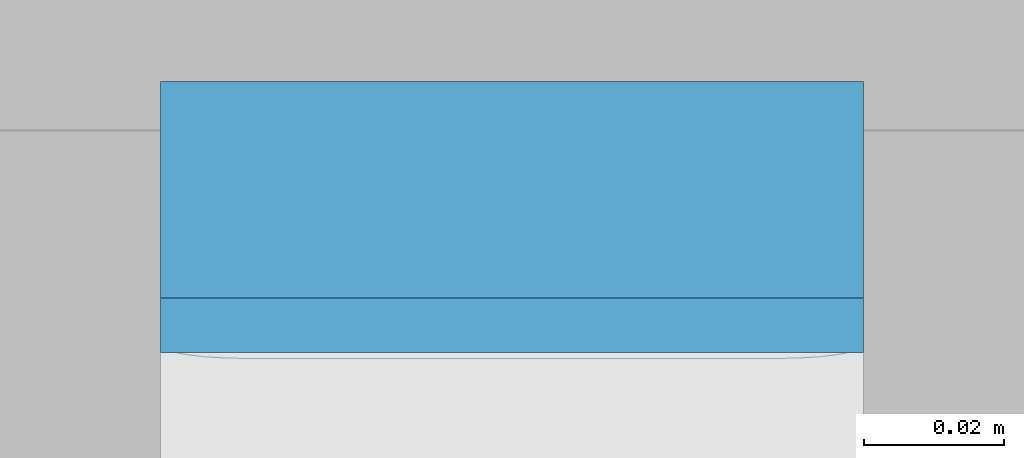
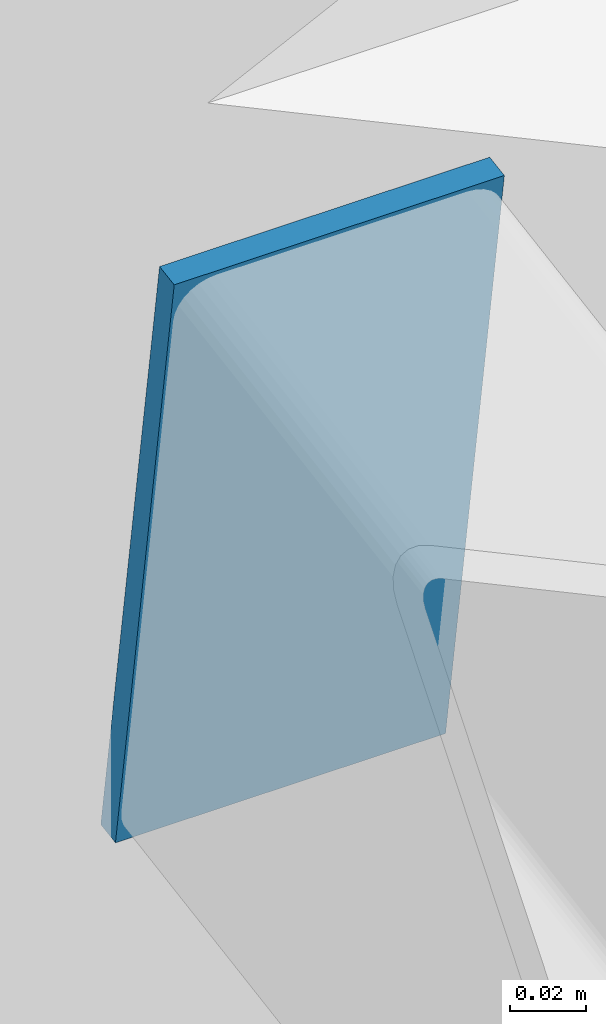
# One storey, part 40 of 42: 1 discrete accessory.
"""IFC4 building model written with IfcOpenShell, lengths in metres."""

from ifc_helpers import new_model, si_unit, direction, frame, origin, origin_2d, place, context, subcontext, project, spatial, rectangle, extrude, material, material_profile, profile_set, type_object, element, save


model = new_model("IFC4")

# Units and contexts
model_context = context("Model", 3, precision=1e-05, world=origin(), true_north=direction((0.0, 1.0)))
body_context = subcontext(model_context, "Body", "Model", "MODEL_VIEW")
ifc_project = project(units=[si_unit("LENGTHUNIT", "METRE"), si_unit("AREAUNIT", "SQUARE_METRE"), si_unit("VOLUMEUNIT", "CUBIC_METRE"), si_unit("PLANEANGLEUNIT", "RADIAN"), si_unit("MASSUNIT", "GRAM", prefix="KILO")], contexts=[model_context])

# Site, building, storey
site_placement = place(None, origin())
site = spatial("IfcSite", under=ifc_project, at=site_placement, CompositionType="ELEMENT")
building_placement = place(site_placement, origin())
building = spatial("IfcBuilding", under=site, at=building_placement, Name="Ardhachandra Cancer Care Centre", CompositionType="ELEMENT")
storey_placement = place(building_placement, frame((0.0, 0.0, 22.5)))
storey = spatial("IfcBuildingStorey", under=building, at=storey_placement, Name="L05", CompositionType="ELEMENT", Elevation=22.5)

# Discrete accessory
ifc_material = material(Name="Galvanised flat steel (Steel E250 (IS 2062))", Category="steel")
ifc_material_profile = material_profile(ifc_material, rectangle(XDim=0.10009765625, YDim=0.199951171875, at=origin_2d()), Name="Rafter end plate 200 x 100 x 8")
ifc_profile_set = profile_set([ifc_material_profile], Name="Galvanised flat steel (Steel E250 (IS 2062))")
discrete_accessory_type = type_object("IfcDiscreteAccessoryType", Name="Rafter end plate 200 x 100 x 8", PredefinedType="BRACKET", material=ifc_profile_set)
discrete_accessory_placement = place(storey_placement, frame((43.699951171875, 88.183837890625, 1.918701171875), z_axis=(0.0, 0.988012033751, 0.154376880274), x_axis=(-1.0, 0.0, 0.0)))
element("IfcDiscreteAccessory", 1, at=discrete_accessory_placement, inside=storey, type_object=discrete_accessory_type, Name="Rafter end plate NT2a.13.2", PredefinedType="BRACKET", context=body_context, shape_type="SweptSolid", body=[
    extrude(rectangle(XDim=0.10009765625, YDim=0.199951171875, at=origin_2d()), origin(), (0.0, 0.0, 1.0), 0.0078125),
])

save(model, "model.ifc")
